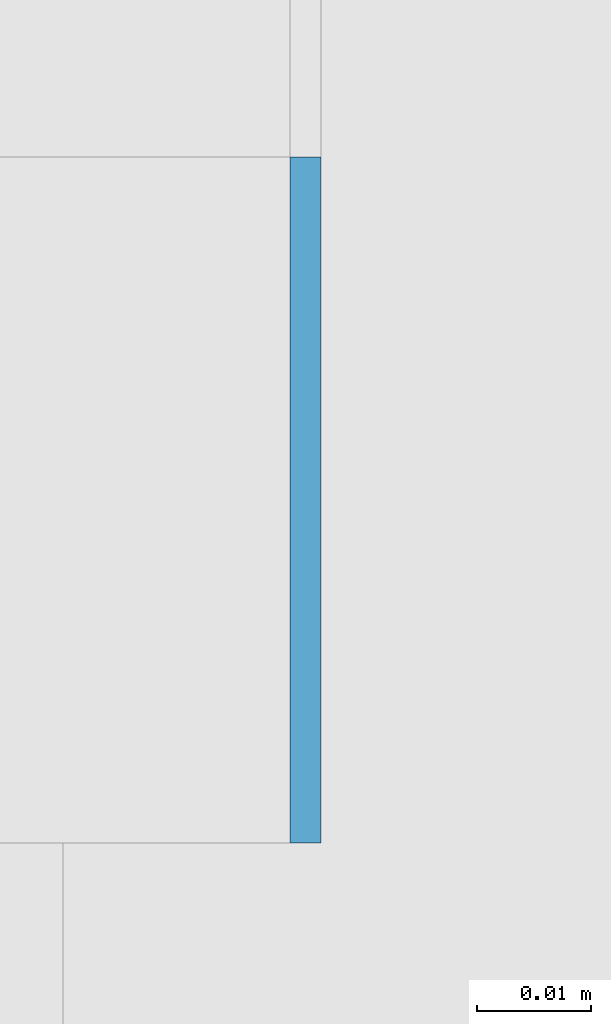
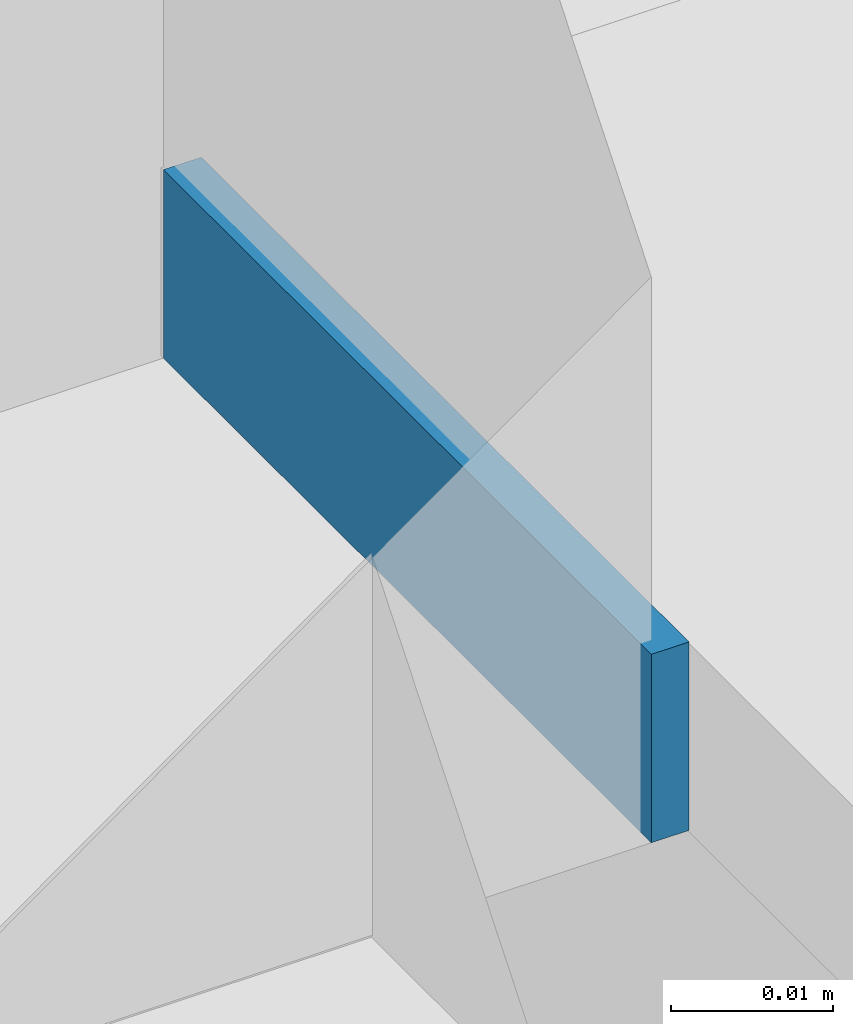
# One storey, part 348 of 646: 1 discrete accessory.
"""IFC4 building model written with IfcOpenShell, lengths in metres."""

from ifc_helpers import new_model, si_unit, direction, frame, origin, origin_2d, place, context, subcontext, project, spatial, rectangle, extrude, material, type_object, element, save


model = new_model("IFC4")

# Units and contexts
model_context = context("Model", 3, precision=1e-05, world=origin(), true_north=direction((0.0, 1.0)))
body_context = subcontext(model_context, "Body", "Model", "MODEL_VIEW")
ifc_project = project(units=[si_unit("LENGTHUNIT", "METRE"), si_unit("AREAUNIT", "SQUARE_METRE"), si_unit("VOLUMEUNIT", "CUBIC_METRE"), si_unit("PLANEANGLEUNIT", "RADIAN"), si_unit("MASSUNIT", "GRAM", prefix="KILO")], contexts=[model_context])

# Site, building, storey
site_placement = place(None, origin())
site = spatial("IfcSite", under=ifc_project, at=site_placement, CompositionType="ELEMENT")
building_placement = place(site_placement, origin())
building = spatial("IfcBuilding", under=site, at=building_placement, Name="Silverbay Arena", CompositionType="ELEMENT")
storey_placement = place(building_placement, frame((0.0, 0.0, 33.5)))
storey = spatial("IfcBuildingStorey", under=building, at=storey_placement, Name="L05", CompositionType="ELEMENT", Elevation=33.5)

# Discrete accessory
ifc_material = material(Name="Steel S355", Category="steel")
discrete_accessory_type = type_object("IfcDiscreteAccessoryType", Name="Steel bracket plate", PredefinedType="BRACKET", material=ifc_material)
discrete_accessory_placement = place(storey_placement, frame((53.871337890625, 89.969970703125, 4.0), z_axis=(0.0, 0.0, 1.0), x_axis=(1.0, 0.0, 0.0)))
element("IfcDiscreteAccessory", 1, at=discrete_accessory_placement, inside=storey, type_object=discrete_accessory_type, Name="Curtain wall packing plate", PredefinedType="BRACKET", context=body_context, shape_type="SweptSolid", body=[
    extrude(rectangle(XDim=0.002685546875, YDim=0.06005859375, at=origin_2d()), origin(), (0.0, 0.0, 1.0), 0.01416015625),
])

save(model, "model.ifc")
